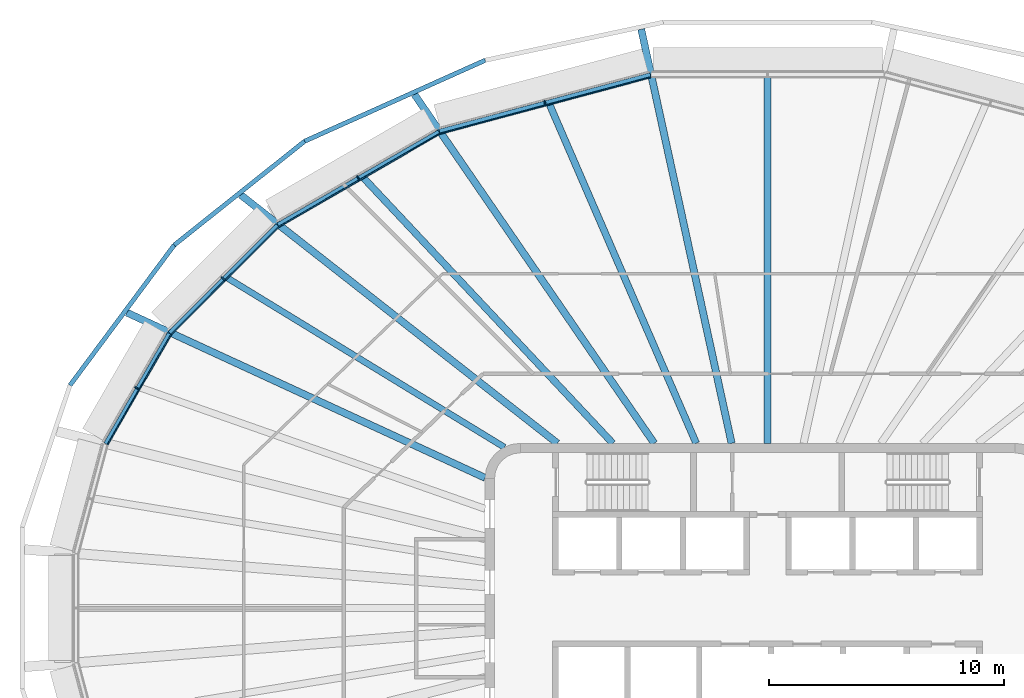
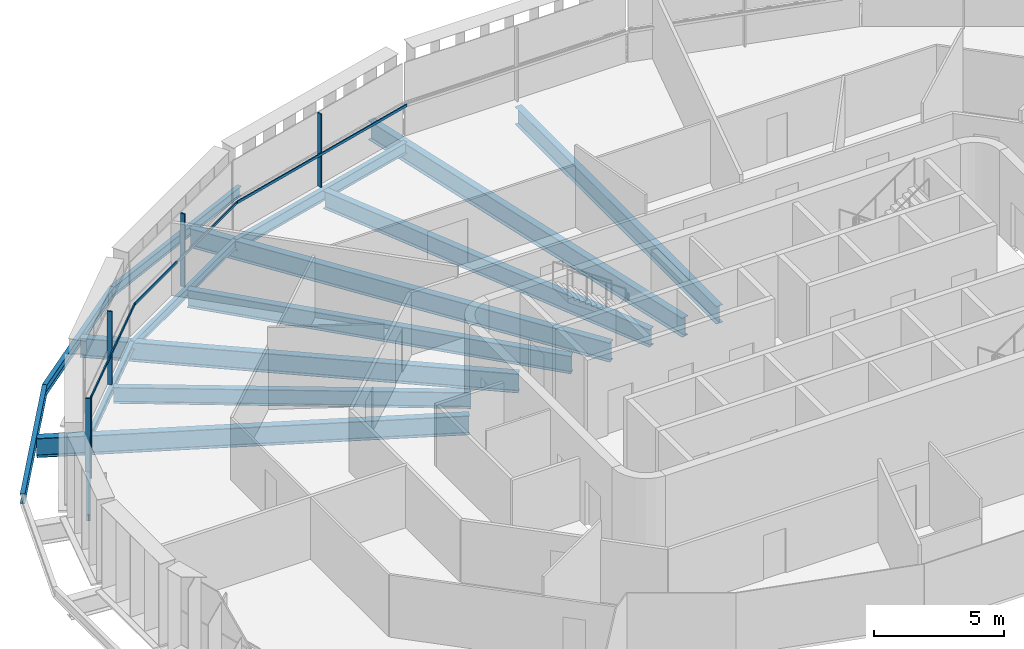
# One storey, part 6 of 19: 15 beams, 8 members, 4 elements without a shape of their own.
"""IFC4 building model written with IfcOpenShell, lengths in metres."""

from ifc_helpers import new_model, si_unit, direction, frame, origin, origin_2d, place, context, subcontext, project, spatial, rectangle, i_section, extrude, material, layer, layer_set, material_profile, profile_set, type_object, element, aggregate, save


model = new_model("IFC4")

# Units and contexts
model_context = context("Model", 3, precision=1e-05, world=origin(), true_north=direction((0.0, 1.0)))
body_context = subcontext(model_context, "Body", "Model", "MODEL_VIEW")
ifc_project = project(units=[si_unit("LENGTHUNIT", "METRE"), si_unit("AREAUNIT", "SQUARE_METRE"), si_unit("VOLUMEUNIT", "CUBIC_METRE"), si_unit("PLANEANGLEUNIT", "RADIAN"), si_unit("MASSUNIT", "GRAM", prefix="KILO")], contexts=[model_context])

# Site, building, storey
site_placement = place(None, origin())
site = spatial("IfcSite", under=ifc_project, at=site_placement, CompositionType="ELEMENT")
building_placement = place(site_placement, origin())
building = spatial("IfcBuilding", under=site, at=building_placement, Name="Sahrelin Media Tower", CompositionType="ELEMENT")
storey_placement = place(building_placement, frame((0.0, 0.0, 275.0)))
storey = spatial("IfcBuildingStorey", under=building, at=storey_placement, Name="L60", CompositionType="ELEMENT", Elevation=275.0)

# Beams
ifc_material_1 = material(Name="Steel S355", Category="steel")
ifc_material_profile_1 = material_profile(ifc_material_1, i_section(OverallWidth=0.1650390625, OverallDepth=0.303466796875, WebThickness=0.006103515625, FlangeThickness=0.01025390625, FilletRadius=0.0087890625, at=origin_2d()), Name="UB 305x165x40")
ifc_profile_set_1 = profile_set([ifc_material_profile_1], Name="Steel S355")
beam_type_1 = type_object("IfcBeamType", Name="Edge beam EB2", PredefinedType="BEAM", material=ifc_profile_set_1)
beam_1_placement = place(storey_placement, frame((-28.1083984375, 6.984619140625, -0.3017578125), z_axis=(0.499996136155, 0.866027634565, 0.0), x_axis=(-0.866027634565, 0.499996136155, 0.0)))
element("IfcBeam", 1, at=beam_1_placement, inside=storey, type_object=beam_type_1, Name="Edge beam L60-11", PredefinedType="BEAM", context=body_context, shape_type="SweptSolid", body=[
    extrude(i_section(OverallWidth=0.1650390625, OverallDepth=0.303466796875, WebThickness=0.006103515625, FlangeThickness=0.01025390625, FilletRadius=0.0087890625, at=origin_2d()), origin(), (0.0, 0.0, 1.0), 5.4052734375),
])
ifc_material_profile_2 = material_profile(ifc_material_1, i_section(OverallWidth=0.17138671875, OverallDepth=0.35498046875, WebThickness=0.00732421875, FlangeThickness=0.011474609375, FilletRadius=0.01025390625, at=origin_2d()), Name="UB 356x171x51")
ifc_profile_set_2 = profile_set([ifc_material_profile_2], Name="Steel S355")
beam_type_2 = type_object("IfcBeamType", Name="Edge beam EB3", PredefinedType="BEAM", material=ifc_profile_set_2)
beam_2_placement = place(storey_placement, frame((-25.38818359375, 11.688720703125, -0.327392578125), z_axis=(0.707106781187, 0.707106781187, 0.0), x_axis=(-0.707106781187, 0.707106781187, 0.0)))
element("IfcBeam", 2, at=beam_2_placement, inside=storey, type_object=beam_type_2, Name="Edge beam L60-12", PredefinedType="BEAM", context=body_context, shape_type="SweptSolid", body=[
    extrude(i_section(OverallWidth=0.17138671875, OverallDepth=0.35498046875, WebThickness=0.00732421875, FlangeThickness=0.011474609375, FilletRadius=0.01025390625, at=origin_2d()), origin(), (0.0, 0.0, 1.0), 6.46484375),
])
ifc_material_profile_3 = material_profile(ifc_material_1, i_section(OverallWidth=0.177978515625, OverallDepth=0.406494140625, WebThickness=0.0078125, FlangeThickness=0.0126953125, FilletRadius=0.01025390625, at=origin_2d()), Name="UB 406x178x60")
ifc_profile_set_3 = profile_set([ifc_material_profile_3], Name="Steel S355")
beam_type_3 = type_object("IfcBeamType", Name="Edge beam EB4", PredefinedType="BEAM", material=ifc_profile_set_3)
beam_3_placement = place(storey_placement, frame((-20.794189453125, 16.27734375, -0.353271484375), z_axis=(0.866020753932, 0.500008053694, 0.0), x_axis=(-0.500008053694, 0.866020753932, 0.0)))
element("IfcBeam", 3, at=beam_3_placement, inside=storey, type_object=beam_type_3, Name="Edge beam L60-13", PredefinedType="BEAM", context=body_context, shape_type="SweptSolid", body=[
    extrude(i_section(OverallWidth=0.177978515625, OverallDepth=0.406494140625, WebThickness=0.0078125, FlangeThickness=0.0126953125, FilletRadius=0.01025390625, at=origin_2d()), origin(), (0.0, 0.0, 1.0), 7.892822265625),
])
ifc_material_profile_4 = material_profile(ifc_material_1, i_section(OverallWidth=0.208740234375, OverallDepth=0.5283203125, WebThickness=0.009521484375, FlangeThickness=0.01318359375, FilletRadius=0.0126953125, at=origin_2d()), Name="UB 533x210x82")
ifc_profile_set_4 = profile_set([ifc_material_profile_4], Name="Steel S355")
beam_type_4 = type_object("IfcBeamType", Name="Edge beam EB6", PredefinedType="BEAM", material=ifc_profile_set_4)
beam_4_placement = place(storey_placement, frame((-13.93212890625, 20.23486328125, -0.4140625), z_axis=(0.965923739773, 0.258826831962, 0.0), x_axis=(-0.258826831962, 0.965923739773, 0.0)))
element("IfcBeam", 4, at=beam_4_placement, inside=storey, type_object=beam_type_4, Name="Edge beam L60-14", PredefinedType="BEAM", context=body_context, shape_type="SweptSolid", body=[
    extrude(i_section(OverallWidth=0.208740234375, OverallDepth=0.5283203125, WebThickness=0.009521484375, FlangeThickness=0.01318359375, FilletRadius=0.0126953125, at=origin_2d()), origin(), (0.0, 0.0, 1.0), 9.27880859375),
])

# Curtain wall, member
ifc_material_2 = material(Name="Champagne anodised aluminium 6063-T6", Category="aluminium")
ifc_layer = layer(ifc_material_2, 0.14990234375)
ifc_layer_set = layer_set([ifc_layer], Name="Tower ribbon curtain wall")
curtain_wall_type = type_object("IfcCurtainWallType", Name="Tower ribbon curtain wall", PredefinedType="NOTDEFINED", material=ifc_layer_set)
curtain_wall_1_placement = place(storey_placement, frame((-9.489501953125, 21.58056640625, 0.0), z_axis=(0.0, 0.0, 1.0), x_axis=(1.0, 0.0, 0.0)))
curtain_wall_1 = element("IfcCurtainWall", 5, at=curtain_wall_1_placement, inside=storey, type_object=curtain_wall_type, Name="L60:CW:L60-07", PredefinedType="NOTDEFINED")
ifc_material_profile_5 = material_profile(ifc_material_2, rectangle(XDim=0.06005859375, YDim=0.199951171875, at=origin_2d()), Name="Mullion 60x200")
ifc_profile_set_5 = profile_set([ifc_material_profile_5], Name="Champagne anodised aluminium 6063-T6")
member_type_1 = type_object("IfcMemberType", Name="Mullion 60x200 CW1C", PredefinedType="MULLION", material=ifc_profile_set_5)
member_1_placement = place(storey_placement, frame((-9.45849609375, 21.464599609375, 0.0), z_axis=(0.0, 0.0, 1.0), x_axis=(-0.965924922834, -0.258822416818, 0.0)))
member_1 = element("IfcMember", 6, at=member_1_placement, type_object=member_type_1, Name="L60:CWM:L60-07", PredefinedType="MULLION", context=body_context, shape_type="SweptSolid", body=[
    extrude(rectangle(XDim=0.06005859375, YDim=0.199951171875, at=origin_2d()), origin(), (0.0, 0.0, 1.0), 3.448486328125),
])

curtain_wall_2_placement = place(storey_placement, frame((-17.451416015625, 18.380615234375, 0.0), z_axis=(0.0, 0.0, 1.0), x_axis=(1.0, 0.0, 0.0)))
curtain_wall_2 = element("IfcCurtainWall", 7, at=curtain_wall_2_placement, inside=storey, type_object=curtain_wall_type, Name="L60:CW:L60-08", PredefinedType="NOTDEFINED")
member_2_placement = place(storey_placement, frame((-17.391357421875, 18.276611328125, 0.0), z_axis=(0.0, 0.0, 1.0), x_axis=(-0.866026276448, -0.4999984885, 0.0)))
member_2 = element("IfcMember", 8, at=member_2_placement, type_object=member_type_1, Name="L60:CWM:L60-08", PredefinedType="MULLION", context=body_context, shape_type="SweptSolid", body=[
    extrude(rectangle(XDim=0.06005859375, YDim=0.199951171875, at=origin_2d()), origin(), (0.0, 0.0, 1.0), 3.448486328125),
])

curtain_wall_3_placement = place(storey_placement, frame((-23.208740234375, 14.080322265625, 0.0), z_axis=(0.0, 0.0, 1.0), x_axis=(1.0, 0.0, 0.0)))
curtain_wall_3 = element("IfcCurtainWall", 9, at=curtain_wall_3_placement, inside=storey, type_object=curtain_wall_type, Name="L60:CW:L60-09", PredefinedType="NOTDEFINED")
member_3_placement = place(storey_placement, frame((-23.123779296875, 13.99560546875, 0.0), z_axis=(0.0, 0.0, 1.0), x_axis=(-0.707106781187, -0.707106781187, 0.0)))
member_3 = element("IfcMember", 10, at=member_3_placement, type_object=member_type_1, Name="L60:CWM:L60-09", PredefinedType="MULLION", context=body_context, shape_type="SweptSolid", body=[
    extrude(rectangle(XDim=0.06005859375, YDim=0.199951171875, at=origin_2d()), origin(), (0.0, 0.0, 1.0), 3.448486328125),
])

curtain_wall_4_placement = place(storey_placement, frame((-26.886962890625, 9.400146484375, 0.0), z_axis=(0.0, 0.0, 1.0), x_axis=(1.0, 0.0, 0.0)))
curtain_wall_4 = element("IfcCurtainWall", 11, at=curtain_wall_4_placement, inside=storey, type_object=curtain_wall_type, Name="L60:CW:L60-10", PredefinedType="NOTDEFINED")
member_4_placement = place(storey_placement, frame((-26.783203125, 9.340087890625, 0.0), z_axis=(0.0, 0.0, 1.0), x_axis=(-0.500001511499, -0.866024531118, 0.0)))
member_4 = element("IfcMember", 12, at=member_4_placement, type_object=member_type_1, Name="L60:CWM:L60-10", PredefinedType="MULLION", context=body_context, shape_type="SweptSolid", body=[
    extrude(rectangle(XDim=0.06005859375, YDim=0.199951171875, at=origin_2d()), origin(), (0.0, 0.0, 1.0), 3.448486328125),
])

# Beams
ifc_material_profile_6 = material_profile(ifc_material_1, i_section(OverallWidth=0.30322265625, OverallDepth=0.903076171875, WebThickness=0.01513671875, FlangeThickness=0.020263671875, FilletRadius=0.01904296875, at=origin_2d()), Name="UB 914x305x201")
ifc_profile_set_6 = profile_set([ifc_material_profile_6], Name="Steel S355")
beam_type_5 = type_object("IfcBeamType", Name="Radial primary beam PB11", PredefinedType="BEAM", material=ifc_profile_set_6)
beam_5_placement = place(storey_placement, frame((-1.528076171875, 7.0, -0.6015625), z_axis=(-0.213278915019, 0.976991353292, 0.0), x_axis=(-0.976991353292, -0.213278915019, 0.0)))
element("IfcBeam", 13, at=beam_5_placement, inside=storey, type_object=beam_type_5, Name="Radial beam L60-07", PredefinedType="BEAM", context=body_context, shape_type="SweptSolid", body=[
    extrude(i_section(OverallWidth=0.30322265625, OverallDepth=0.903076171875, WebThickness=0.01513671875, FlangeThickness=0.020263671875, FilletRadius=0.01904296875, at=origin_2d()), origin(), (0.0, 0.0, 1.0), 17.995849609375),
])
beam_6_placement = place(storey_placement, frame((-4.812255859375, 7.0, -0.6015625), z_axis=(-0.566497121099, 0.824063718281, 0.0), x_axis=(-0.824063718281, -0.566497121099, 0.0)))
element("IfcBeam", 14, at=beam_6_placement, inside=storey, type_object=beam_type_5, Name="Radial beam L60-08", PredefinedType="BEAM", context=body_context, shape_type="SweptSolid", body=[
    extrude(i_section(OverallWidth=0.30322265625, OverallDepth=0.903076171875, WebThickness=0.01513671875, FlangeThickness=0.020263671875, FilletRadius=0.01904296875, at=origin_2d()), origin(), (0.0, 0.0, 1.0), 17.976318359375),
])
beam_7_placement = place(storey_placement, frame((-8.925537109375, 7.0, -0.6015625), z_axis=(-0.786867836982, 0.617121549716, 0.0), x_axis=(-0.617121549716, -0.786867836982, 0.0)))
element("IfcBeam", 15, at=beam_7_placement, inside=storey, type_object=beam_type_5, Name="Radial beam L60-09", PredefinedType="BEAM", context=body_context, shape_type="SweptSolid", body=[
    extrude(i_section(OverallWidth=0.30322265625, OverallDepth=0.903076171875, WebThickness=0.01513671875, FlangeThickness=0.020263671875, FilletRadius=0.01904296875, at=origin_2d()), origin(), (0.0, 0.0, 1.0), 17.088134765625),
])
beam_8_placement = place(storey_placement, frame((-11.99560546875, 5.532958984375, -0.6015625), z_axis=(-0.908055324306, 0.418850245314, 0.0), x_axis=(-0.418850245314, -0.908055324306, 0.0)))
element("IfcBeam", 16, at=beam_8_placement, inside=storey, type_object=beam_type_5, Name="Radial beam L60-10", PredefinedType="BEAM", context=body_context, shape_type="SweptSolid", body=[
    extrude(i_section(OverallWidth=0.30322265625, OverallDepth=0.903076171875, WebThickness=0.01513671875, FlangeThickness=0.020263671875, FilletRadius=0.01904296875, at=origin_2d()), origin(), (0.0, 0.0, 1.0), 16.75390625),
])
ifc_material_profile_7 = material_profile(ifc_material_1, i_section(OverallWidth=0.291748046875, OverallDepth=0.8349609375, WebThickness=0.013916015625, FlangeThickness=0.018798828125, FilletRadius=0.017822265625, at=origin_2d()), Name="UB 838x292x176")
ifc_profile_set_7 = profile_set([ifc_material_profile_7], Name="Steel S355")
beam_type_6 = type_object("IfcBeamType", Name="Radial secondary beam SB10", PredefinedType="BEAM", material=ifc_profile_set_7)
beam_9_placement = place(storey_placement, frame((0.0, 7.0, -0.5673828125), z_axis=(0.0, 1.0, 0.0), x_axis=(-1.0, 0.0, 0.0)))
element("IfcBeam", 17, at=beam_9_placement, inside=storey, type_object=beam_type_6, Name="Secondary beam L60-06", PredefinedType="BEAM", context=body_context, shape_type="SweptSolid", body=[
    extrude(i_section(OverallWidth=0.291748046875, OverallDepth=0.8349609375, WebThickness=0.013916015625, FlangeThickness=0.018798828125, FilletRadius=0.017822265625, at=origin_2d()), origin(), (0.0, 0.0, 1.0), 15.535888671875),
])
beam_10_placement = place(storey_placement, frame((-3.03076171875, 7.0, -0.5673828125), z_axis=(-0.397320146811, 0.917680064586, 0.0), x_axis=(-0.917680064586, -0.397320146811, 0.0)))
element("IfcBeam", 18, at=beam_10_placement, inside=storey, type_object=beam_type_6, Name="Secondary beam L60-07", PredefinedType="BEAM", context=body_context, shape_type="SweptSolid", body=[
    extrude(i_section(OverallWidth=0.291748046875, OverallDepth=0.8349609375, WebThickness=0.013916015625, FlangeThickness=0.018798828125, FilletRadius=0.017822265625, at=origin_2d()), origin(), (0.0, 0.0, 1.0), 15.66943359375),
])
beam_11_placement = place(storey_placement, frame((-6.573486328125, 7.0, -0.5673828125), z_axis=(-0.684553212108, 0.728962893289, 0.0), x_axis=(-0.728962893289, -0.684553212108, 0.0)))
element("IfcBeam", 19, at=beam_11_placement, inside=storey, type_object=beam_type_6, Name="Secondary beam L60-08", PredefinedType="BEAM", context=body_context, shape_type="SweptSolid", body=[
    extrude(i_section(OverallWidth=0.291748046875, OverallDepth=0.8349609375, WebThickness=0.013916015625, FlangeThickness=0.018798828125, FilletRadius=0.017822265625, at=origin_2d()), origin(), (0.0, 0.0, 1.0), 15.46435546875),
])
ifc_material_profile_8 = material_profile(ifc_material_1, i_section(OverallWidth=0.26513671875, OverallDepth=0.75390625, WebThickness=0.0126953125, FlangeThickness=0.017578125, FilletRadius=0.0166015625, at=origin_2d()), Name="UB 762x267x147")
ifc_profile_set_8 = profile_set([ifc_material_profile_8], Name="Steel S355")
beam_type_7 = type_object("IfcBeamType", Name="Radial secondary beam SB9", PredefinedType="BEAM", material=ifc_profile_set_8)
beam_12_placement = place(storey_placement, frame((-11.1748046875, 6.830078125, -0.527099609375), z_axis=(-0.853241553676, 0.521515916422, 0.0), x_axis=(-0.521515916422, -0.853241553676, 0.0)))
element("IfcBeam", 20, at=beam_12_placement, inside=storey, type_object=beam_type_7, Name="Secondary beam L60-09", PredefinedType="BEAM", context=body_context, shape_type="SweptSolid", body=[
    extrude(i_section(OverallWidth=0.26513671875, OverallDepth=0.75390625, WebThickness=0.0126953125, FlangeThickness=0.017578125, FilletRadius=0.0166015625, at=origin_2d()), origin(), (0.0, 0.0, 1.0), 13.78466796875),
])
ifc_material_profile_9 = material_profile(ifc_material_1, i_section(OverallWidth=0.1904296875, OverallDepth=0.45703125, WebThickness=0.009033203125, FlangeThickness=0.014404296875, FilletRadius=0.01025390625, at=origin_2d()), Name="UB 457x191x74")
ifc_profile_set_9 = profile_set([ifc_material_profile_9], Name="Steel S355")
beam_type_8 = type_object("IfcBeamType", Name="Tie chord TC5", PredefinedType="BEAM", material=ifc_profile_set_9)
beam_13_placement = place(storey_placement, frame((-11.9912109375, 23.265625, -0.37841796875), z_axis=(-0.912455094562, -0.409176857128, 0.0), x_axis=(0.409176857128, -0.912455094562, 0.0)))
element("IfcBeam", 21, at=beam_13_placement, inside=storey, type_object=beam_type_8, Name="Tie chord L60-08", PredefinedType="BEAM", context=body_context, shape_type="SweptSolid", body=[
    extrude(i_section(OverallWidth=0.1904296875, OverallDepth=0.45703125, WebThickness=0.009033203125, FlangeThickness=0.014404296875, FilletRadius=0.01025390625, at=origin_2d()), origin(), (0.0, 0.0, 1.0), 8.4033203125),
])
beam_14_placement = place(storey_placement, frame((-19.658935546875, 19.8271484375, -0.37841796875), z_axis=(-0.782259913581, -0.622952187254, 0.0), x_axis=(0.622952187254, -0.782259913581, 0.0)))
element("IfcBeam", 22, at=beam_14_placement, inside=storey, type_object=beam_type_8, Name="Tie chord L60-09", PredefinedType="BEAM", context=body_context, shape_type="SweptSolid", body=[
    extrude(i_section(OverallWidth=0.1904296875, OverallDepth=0.45703125, WebThickness=0.009033203125, FlangeThickness=0.014404296875, FilletRadius=0.01025390625, at=origin_2d()), origin(), (0.0, 0.0, 1.0), 7.07861328125),
])
beam_15_placement = place(storey_placement, frame((-25.1962890625, 15.41748046875, -0.37841796875), z_axis=(-0.596572928105, -0.802558871019, 0.0), x_axis=(0.802558871019, -0.596572928105, 0.0)))
element("IfcBeam", 23, at=beam_15_placement, inside=storey, type_object=beam_type_8, Name="Tie chord L60-10", PredefinedType="BEAM", context=body_context, shape_type="SweptSolid", body=[
    extrude(i_section(OverallWidth=0.1904296875, OverallDepth=0.45703125, WebThickness=0.009033203125, FlangeThickness=0.014404296875, FilletRadius=0.01025390625, at=origin_2d()), origin(), (0.0, 0.0, 1.0), 7.420654296875),
])

# Member
ifc_material_profile_10 = material_profile(ifc_material_2, rectangle(XDim=0.050048828125, YDim=0.1201171875, at=origin_2d()), Name="Transom 50x120")
ifc_profile_set_10 = profile_set([ifc_material_profile_10], Name="Champagne anodised aluminium 6063-T6")
member_type_2 = type_object("IfcMemberType", Name="Transom 50x120 CW1C", PredefinedType="USERDEFINED", material=ifc_profile_set_10)
member_5_placement = place(storey_placement, frame((-4.960205078125, 22.54052734375, 1.60009765625), z_axis=(-0.965927074769, -0.258814385666, 0.0), x_axis=(0.258814385666, -0.965927074769, 0.0)))
member_5 = element("IfcMember", 24, at=member_5_placement, type_object=member_type_2, Name="L60:CWT:L60-07", ObjectType="TRANSOM", PredefinedType="USERDEFINED", context=body_context, shape_type="SweptSolid", body=[
    extrude(rectangle(XDim=0.050048828125, YDim=0.1201171875, at=origin_2d()), origin(), (0.0, 0.0, 1.0), 9.247314453125),
])

aggregate(curtain_wall_1, [member_1, member_5])

member_6_placement = place(storey_placement, frame((-13.9248046875, 20.1337890625, 1.60009765625), z_axis=(-0.866011816304, -0.500023533469, 0.0), x_axis=(0.500023533469, -0.866011816304, 0.0)))
member_6 = element("IfcMember", 25, at=member_6_placement, type_object=member_type_2, Name="L60:CWT:L60-08", ObjectType="TRANSOM", PredefinedType="USERDEFINED", context=body_context, shape_type="SweptSolid", body=[
    extrude(rectangle(XDim=0.050048828125, YDim=0.1201171875, at=origin_2d()), origin(), (0.0, 0.0, 1.0), 7.861328125),
])

aggregate(curtain_wall_2, [member_2, member_6])

member_7_placement = place(storey_placement, frame((-20.760986328125, 16.181640625, 1.60009765625), z_axis=(-0.707087805841, -0.707125756023, 0.0), x_axis=(0.707125756023, -0.707087805841, 0.0)))
member_7 = element("IfcMember", 26, at=member_7_placement, type_object=member_type_2, Name="L60:CWT:L60-09", ObjectType="TRANSOM", PredefinedType="USERDEFINED", context=body_context, shape_type="SweptSolid", body=[
    extrude(rectangle(XDim=0.050048828125, YDim=0.1201171875, at=origin_2d()), origin(), (0.0, 0.0, 1.0), 6.43310546875),
])

aggregate(curtain_wall_3, [member_3, member_7])

member_8_placement = place(storey_placement, frame((-25.331298828125, 11.604736328125, 1.60009765625), z_axis=(-0.49999903979, -0.866025958161, 0.0), x_axis=(0.866025958161, -0.49999903979, 0.0)))
member_8 = element("IfcMember", 27, at=member_8_placement, type_object=member_type_2, Name="L60:CWT:L60-10", ObjectType="TRANSOM", PredefinedType="USERDEFINED", context=body_context, shape_type="SweptSolid", body=[
    extrude(rectangle(XDim=0.050048828125, YDim=0.1201171875, at=origin_2d()), origin(), (0.0, 0.0, 1.0), 5.3740234375),
])

aggregate(curtain_wall_4, [member_4, member_8])

save(model, "model.ifc")
